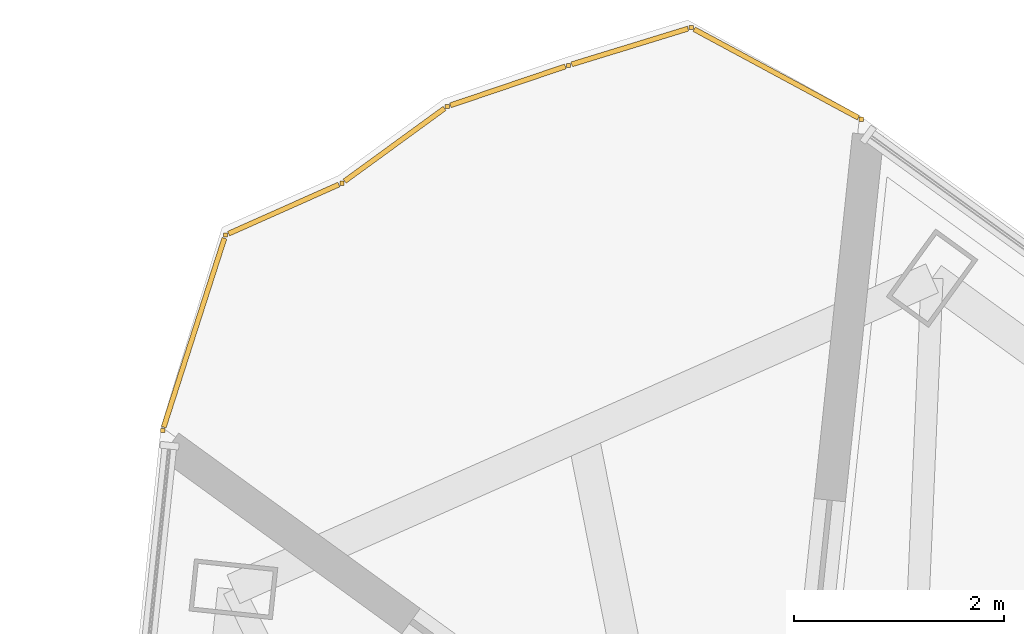
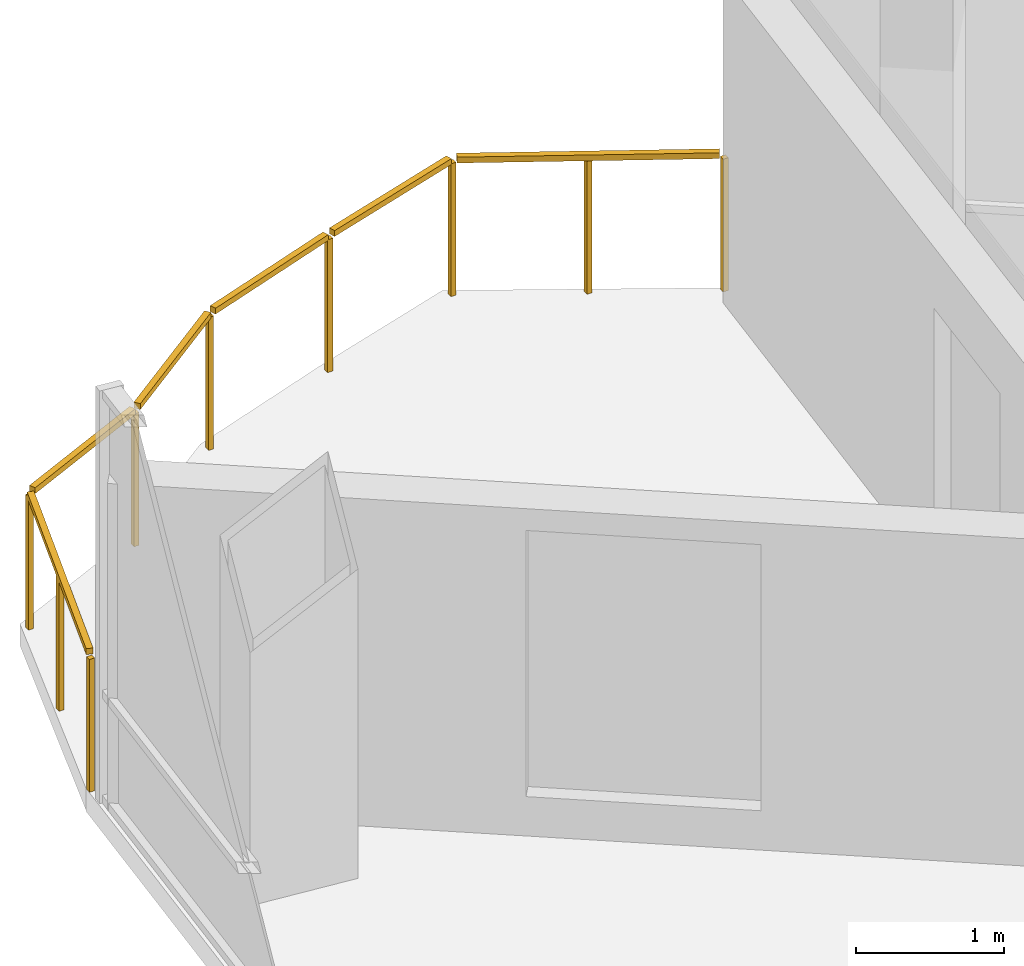
# One storey, part 16 of 16: 1 railing.
"""IFC4 building model written with IfcOpenShell, lengths in metres."""

from ifc_helpers import new_model, si_unit, direction, frame, origin, origin_2d, place, context, subcontext, project, spatial, rectangle, extrude, material, type_object, element, save


model = new_model("IFC4")

# Units and contexts
model_context = context("Model", 3, precision=1e-05, world=origin(), true_north=direction((0.0, 1.0)))
body_context = subcontext(model_context, "Body", "Model", "MODEL_VIEW")
ifc_project = project(units=[si_unit("LENGTHUNIT", "METRE"), si_unit("AREAUNIT", "SQUARE_METRE"), si_unit("VOLUMEUNIT", "CUBIC_METRE"), si_unit("PLANEANGLEUNIT", "RADIAN"), si_unit("MASSUNIT", "GRAM", prefix="KILO")], contexts=[model_context])

# Site, building, storey
site_placement = place(None, origin())
site = spatial("IfcSite", under=ifc_project, at=site_placement, CompositionType="ELEMENT")
building_placement = place(site_placement, origin())
building = spatial("IfcBuilding", under=site, at=building_placement, Name="Tharavind Bronze Gate", CompositionType="ELEMENT")
storey_placement = place(building_placement, frame((0.0, 0.0, 130.449951171875)))
storey = spatial("IfcBuildingStorey", under=building, at=storey_placement, Name="L33", CompositionType="ELEMENT", Elevation=130.449951171875)

# Railing
ifc_material = material(Name="Bronze Cap & Laminated Glass", Category="glass")
railing_type = type_object("IfcRailingType", Name="TERRACE GLASS GUARD RAILING 1150", PredefinedType="GUARDRAIL", material=ifc_material)
railing_placement = place(storey_placement, frame((-15.5927734375, 21.247802734375, 0.0)))
element("IfcRailing", 1, at=railing_placement, inside=storey, type_object=railing_type, Name="L33 tree balcony guard railing", PredefinedType="GUARDRAIL", context=body_context, shape_type="SweptSolid", body=[
    extrude(rectangle(XDim=0.048095703125, YDim=0.048095703125, at=origin_2d()), frame((0.009765625, 0.030517578125, 1.1259765625), z_axis=(0.305964803424, 0.952042824176, 0.0), x_axis=(-0.952042824176, 0.305964803424, 0.0)), (0.0, 0.0, 1.0), 1.89501953125),
    extrude(rectangle(XDim=0.048095703125, YDim=0.048095703125, at=origin_2d()), frame((0.628662109375, 1.8779296875, 1.1259765625), z_axis=(0.913480304847, 0.406882947119, 0.0), x_axis=(-0.406882947119, 0.913480304847, 0.0)), (0.0, 0.0, 1.0), 1.15283203125),
    extrude(rectangle(XDim=0.048095703125, YDim=0.048095703125, at=origin_2d()), frame((1.73681640625, 2.37890625, 1.1259765625), z_axis=(0.808328551704, 0.588731647272, 0.0), x_axis=(-0.588731647272, 0.808328551704, 0.0)), (0.0, 0.0, 1.0), 1.18017578125),
    extrude(rectangle(XDim=0.048095703125, YDim=0.048095703125, at=origin_2d()), frame((2.746826171875, 3.102783203125, 1.1259765625), z_axis=(0.947113235221, 0.32089954763, 0.0), x_axis=(-0.32089954763, 0.947113235221, 0.0)), (0.0, 0.0, 1.0), 1.157958984375),
    extrude(rectangle(XDim=0.048095703125, YDim=0.048095703125, at=origin_2d()), frame((3.904296875, 3.493896484375, 1.1259765625), z_axis=(0.955925323722, 0.293609903556, 0.0), x_axis=(-0.293609903556, 0.955925323722, 0.0)), (0.0, 0.0, 1.0), 1.16162109375),
    extrude(rectangle(XDim=0.048095703125, YDim=0.048095703125, at=origin_2d()), frame((5.073486328125, 3.829345703125, 1.1259765625), z_axis=(0.880237226365, -0.474533903236, 0.0), x_axis=(0.474533903236, 0.880237226365, 0.0)), (0.0, 0.0, 1.0), 1.780517578125),
    extrude(rectangle(XDim=0.0400390625, YDim=0.0400390625, at=origin_2d()), origin(), (0.0, 0.0, 1.0), 1.097900390625),
    extrude(rectangle(XDim=0.0400390625, YDim=0.0400390625, at=origin_2d()), frame((0.2998046875, 0.9326171875, 0.0)), (0.0, 0.0, 1.0), 1.097900390625),
    extrude(rectangle(XDim=0.0400390625, YDim=0.0400390625, at=origin_2d()), frame((0.599365234375, 1.864990234375, 0.0)), (0.0, 0.0, 1.0), 1.097900390625),
    extrude(rectangle(XDim=0.0400390625, YDim=0.0400390625, at=origin_2d()), frame((1.7109375, 2.360107421875, 0.0)), (0.0, 0.0, 1.0), 1.097900390625),
    extrude(rectangle(XDim=0.0400390625, YDim=0.0400390625, at=origin_2d()), frame((2.716552734375, 3.092529296875, 0.0)), (0.0, 0.0, 1.0), 1.097900390625),
    extrude(rectangle(XDim=0.0400390625, YDim=0.0400390625, at=origin_2d()), frame((3.873779296875, 3.484619140625, 0.0)), (0.0, 0.0, 1.0), 1.097900390625),
    extrude(rectangle(XDim=0.0400390625, YDim=0.0400390625, at=origin_2d()), frame((5.04541015625, 3.844482421875, 0.0)), (0.0, 0.0, 1.0), 1.097900390625),
    extrude(rectangle(XDim=0.0400390625, YDim=0.0400390625, at=origin_2d()), frame((5.857177734375, 3.40673828125, 0.0)), (0.0, 0.0, 1.0), 1.097900390625),
    extrude(rectangle(XDim=0.0400390625, YDim=0.0400390625, at=origin_2d()), frame((6.6689453125, 2.96923828125, 0.0)), (0.0, 0.0, 1.0), 1.097900390625),
])

save(model, "model.ifc")
